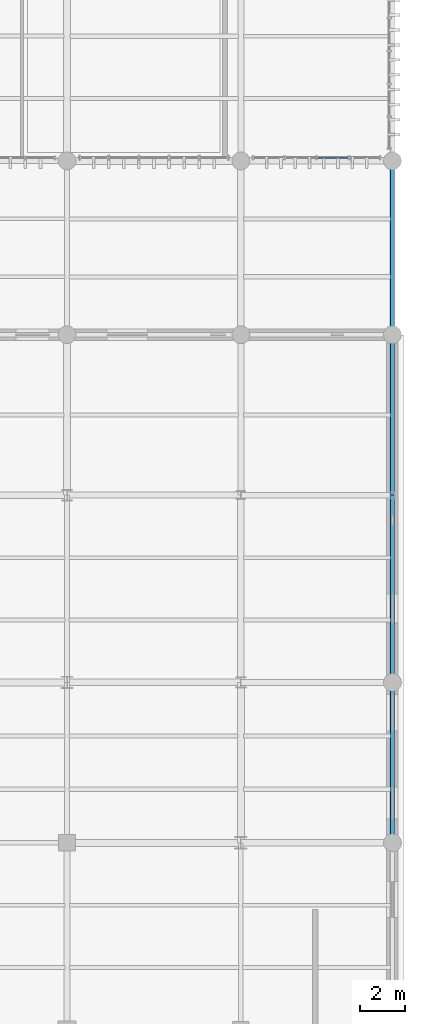
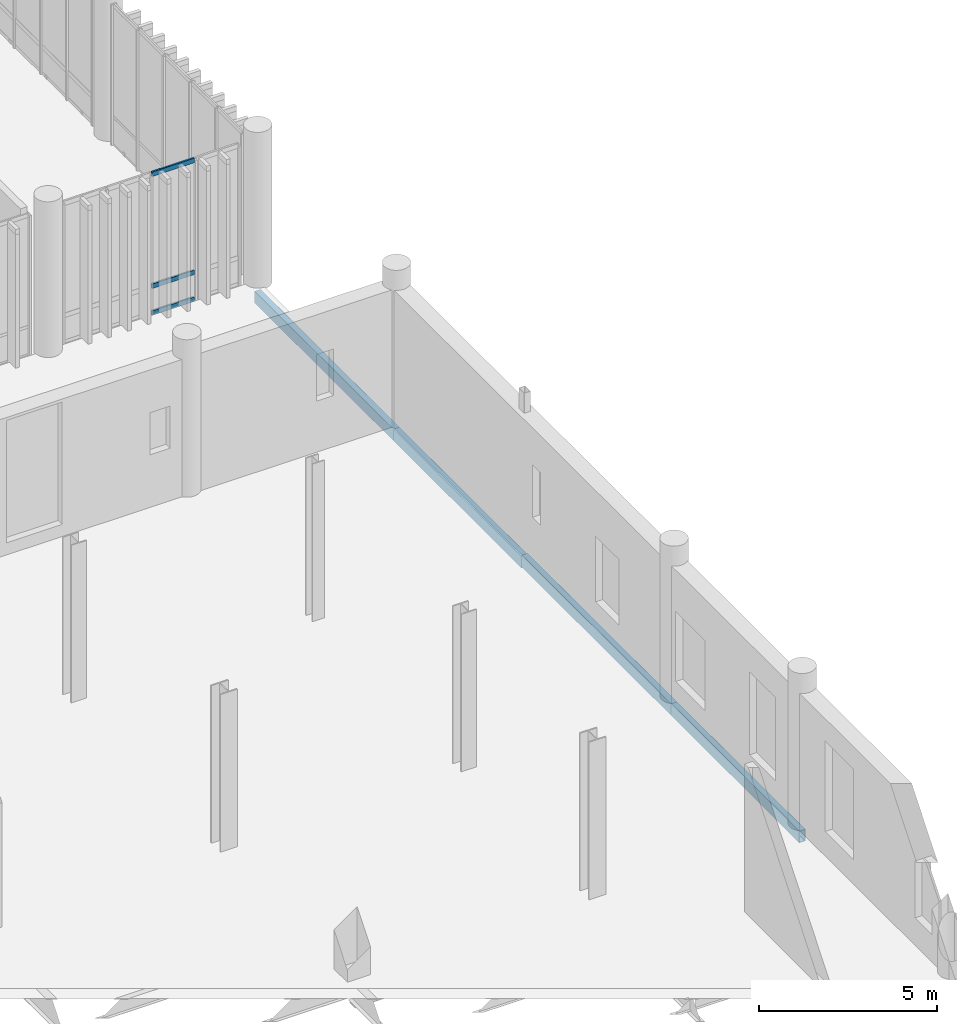
# One storey, part 76 of 128: 4 beams, 3 members, 1 element without a shape of its own.
"""IFC4 building model written with IfcOpenShell, lengths in metres."""

import ifcopenshell
import ifcopenshell.guid

model = None  # the IFC model being written
_history = None  # IfcOwnerHistory: only IFC2X3 demands one
_inside = {}  # id of a spatial element -> (the spatial element, [elements in it])
_under = {}  # id of a project, library or spatial element -> (it, [spatial elements below it])
_declared = {}  # id of a project -> (the project, [libraries it declares])
_typed = {}  # id of a type object -> (the type object, [elements of that type])
_made_of = {}  # id of a material, layer set ... -> (it, [elements and type objects made of it])


def new_model(schema):
    """Start an empty IFC model of exactly this schema.

    Asked for "IFC4X3", IfcOpenShell would pick the latest addendum, in which some entities
    have other attributes; the version numbers below select the first issue.
    IFC2X3 requires an IfcOwnerHistory on every rooted entity: one is made here for all.
    """
    global model, _history
    if schema == "IFC4X3":
        model = ifcopenshell.file(schema_version=(4, 3, 0, 0))
    else:
        model = ifcopenshell.file(schema=schema)
    _inside.clear()
    _under.clear()
    _declared.clear()
    _typed.clear()
    _made_of.clear()
    _history = None
    if model.schema == "IFC2X3":
        org = make("IfcOrganization", Name="unknown")
        user = make(
            "IfcPersonAndOrganization",
            ThePerson=make("IfcPerson", FamilyName="unknown"),
            TheOrganization=org,
        )
        app = make(
            "IfcApplication",
            ApplicationDeveloper=org,
            Version="unknown",
            ApplicationFullName="unknown",
            ApplicationIdentifier="unknown",
        )
        _history = make(
            "IfcOwnerHistory",
            OwningUser=user,
            OwningApplication=app,
            ChangeAction="ADDED",
            CreationDate=0,
        )
    return model


def make(cls, **values):
    """One entity of the class cls with the attributes given. An attribute that is None is left unset."""
    return model.create_entity(
        cls, **{name: value for name, value in values.items() if value is not None}
    )


def rooted(cls, **values):
    """An entity with a GlobalId (a new one), such as an element, a storey or a relation."""
    return make(cls, GlobalId=ifcopenshell.guid.new(), OwnerHistory=_history, **values)


def si_unit(unit_type, name, prefix=None):
    """IfcSIUnit, for example si_unit("LENGTHUNIT", "METRE", prefix="MILLI")."""
    return make("IfcSIUnit", UnitType=unit_type, Prefix=prefix, Name=name)


def assignment(units):
    """IfcUnitAssignment: the units of a project."""
    return None if units is None else make("IfcUnitAssignment", Units=units)


def point(xyz):
    """IfcCartesianPoint."""
    return None if xyz is None else make("IfcCartesianPoint", Coordinates=xyz)


def direction(xyz):
    """IfcDirection."""
    return None if xyz is None else make("IfcDirection", DirectionRatios=xyz)


def frame(location, z_axis=None, x_axis=None):
    """IfcAxis2Placement3D, a coordinate frame: its origin and axes. An axis left out is left unset."""
    return make(
        "IfcAxis2Placement3D",
        Location=point(location),
        Axis=direction(z_axis),
        RefDirection=direction(x_axis),
    )


def frame_2d(location, x_axis=None):
    """IfcAxis2Placement2D, a coordinate frame in the plane: its origin and x axis."""
    return make(
        "IfcAxis2Placement2D", Location=point(location), RefDirection=direction(x_axis)
    )


def origin_with_axes():
    """The frame at (0, 0, 0) with the z axis (0, 0, 1) and the x axis (1, 0, 0) written out."""
    return frame((0.0, 0.0, 0.0), z_axis=(0.0, 0.0, 1.0), x_axis=(1.0, 0.0, 0.0))


def origin_2d_with_axis():
    """The frame at (0, 0) in the plane with the x axis (1, 0) written out."""
    return frame_2d((0.0, 0.0), x_axis=(1.0, 0.0))


def place(relative_to, where):
    """IfcLocalPlacement: puts the frame where relative to a parent placement (None: the world)."""
    return make(
        "IfcLocalPlacement", PlacementRelTo=relative_to, RelativePlacement=where
    )


def context(
    kind, dimensions, precision=None, world=None, true_north=None, identifier=None
):
    """IfcGeometricRepresentationContext, for example the 3D "Model" context."""
    return make(
        "IfcGeometricRepresentationContext",
        ContextIdentifier=identifier,
        ContextType=kind,
        CoordinateSpaceDimension=dimensions,
        Precision=precision,
        WorldCoordinateSystem=world,
        TrueNorth=true_north,
    )


def subcontext(parent, identifier, kind, view, scale=None):
    """IfcGeometricRepresentationSubContext, for example "Body" below "Model"."""
    return make(
        "IfcGeometricRepresentationSubContext",
        ContextIdentifier=identifier,
        ContextType=kind,
        ParentContext=parent,
        TargetScale=scale,
        TargetView=view,
    )


def project(units=None, contexts=None):
    """IfcProject with its units and contexts."""
    return rooted(
        "IfcProject",
        Name="project",
        RepresentationContexts=contexts,
        UnitsInContext=assignment(units),
    )


def spatial(cls, under=None, at=None, **own):
    """A site, building, storey or space (cls), placed at a placement, below another one or the project."""
    s = rooted(cls, ObjectPlacement=at, **own)
    if under is not None:
        _under.setdefault(under.id(), (under, []))[1].append(s)
    return s


def profile(cls, at=None, kind="AREA", **sizes):
    """A parametric profile (cls). Its sizes go by their IFC names, for example OverallWidth=200.0."""
    return make(cls, ProfileType=kind, Position=at, **sizes)


def hollow_rectangle(**sizes):
    """IfcRectangleHollowProfileDef."""
    return profile("IfcRectangleHollowProfileDef", **sizes)


def extrude(swept, where, along, depth):
    """IfcExtrudedAreaSolid: the profile swept, set in the frame where, extruded along a direction by depth."""
    return make(
        "IfcExtrudedAreaSolid",
        SweptArea=swept,
        Position=where,
        ExtrudedDirection=direction(along),
        Depth=depth,
    )


def shape(context_of_items, identifier, shape_type, items):
    """IfcShapeRepresentation: the items that make up one representation, for example the "Body"."""
    return make(
        "IfcShapeRepresentation",
        ContextOfItems=context_of_items,
        RepresentationIdentifier=identifier,
        RepresentationType=shape_type,
        Items=items,
    )


def material(Name=None, Category=None):
    """IfcMaterial."""
    return make("IfcMaterial", Name=Name, Category=Category)


def material_profile(
    of_material, cross_section, Name=None, Category=None, Priority=None
):
    """IfcMaterialProfile: a cross section and its material."""
    return make(
        "IfcMaterialProfile",
        Name=Name,
        Material=of_material,
        Profile=cross_section,
        Priority=Priority,
        Category=Category,
    )


def profile_set(profiles, Name=None, composite=None):
    """IfcMaterialProfileSet."""
    return make(
        "IfcMaterialProfileSet",
        Name=Name,
        MaterialProfiles=profiles,
        CompositeProfile=composite,
    )


def made_of(thing, what):
    """Note that an element or type object is made of a material, layer set ...; save() writes the relation."""
    if what is not None:
        _made_of.setdefault(what.id(), (what, []))[1].append(thing)
    return thing


def type_object(cls, material=None, **own):
    """A type object (cls), such as IfcWallType, which elements share."""
    return made_of(rooted(cls, **own), material)


def element(
    cls,
    number,
    at=None,
    inside=None,
    cuts=None,
    type_object=None,
    material=None,
    context=None,
    identifier="Body",
    shape_type=None,
    held_by="IfcProductDefinitionShape",
    body=None,
    shapes=None,
    **own,
):
    """One element of the class cls, such as IfcWall. Its Tag is "e" and its number.

    at: its placement. inside: the storey or other place that contains it. cuts: it is an
    opening in that element (IfcRelVoidsElement). A single representation is given by context,
    identifier, shape_type and body (its items); several are given by shapes. held_by: the class
    of the entity that holds the representations. save() writes the other relations.
    """
    e = rooted(cls, Tag="e%d" % number, ObjectPlacement=at, **own)
    if body is not None:
        shapes = [shape(context, identifier, shape_type, body)]
    if shapes is not None:
        e.Representation = make(held_by, Representations=shapes)
    if inside is not None:
        _inside.setdefault(inside.id(), (inside, []))[1].append(e)
    if cuts is not None:
        rooted(
            "IfcRelVoidsElement", RelatingBuildingElement=cuts, RelatedOpeningElement=e
        )
    if type_object is not None:
        _typed.setdefault(type_object.id(), (type_object, []))[1].append(e)
    return made_of(e, material)


def aggregate(whole, parts):
    """IfcRelAggregates: a whole, such as a stair, and the parts it consists of."""
    return rooted("IfcRelAggregates", RelatingObject=whole, RelatedObjects=parts)


def save(model, path):
    """Write the relations noted so far, then the file.

    IfcRelAggregates (storeys below a building ...), IfcRelContainedInSpatialStructure (elements
    in a storey), IfcRelDefinesByType, IfcRelAssociatesMaterial and IfcRelDeclares: one each for
    every whole, place, type object, material and project.
    """
    for whole, parts in _under.values():
        aggregate(whole, parts)
    for where, things in _inside.values():
        rooted(
            "IfcRelContainedInSpatialStructure",
            RelatedElements=things,
            RelatingStructure=where,
        )
    for kind, things in _typed.values():
        rooted("IfcRelDefinesByType", RelatedObjects=things, RelatingType=kind)
    for what, things in _made_of.values():
        rooted("IfcRelAssociatesMaterial", RelatedObjects=things, RelatingMaterial=what)
    for by, libraries in _declared.values():
        rooted("IfcRelDeclares", RelatingContext=by, RelatedDefinitions=libraries)
    model.write(path)


model = new_model("IFC4")

# Units and contexts
model_context = context("Model", 3, precision=1e-05, world=origin_with_axes(), true_north=direction((0.0, 1.0)))
body_context = subcontext(model_context, "Body", "Model", "MODEL_VIEW")
ifc_project = project(units=[si_unit("LENGTHUNIT", "METRE"), si_unit("AREAUNIT", "SQUARE_METRE"), si_unit("VOLUMEUNIT", "CUBIC_METRE"), si_unit("PLANEANGLEUNIT", "RADIAN"), si_unit("MASSUNIT", "GRAM", prefix="KILO"), si_unit("THERMODYNAMICTEMPERATUREUNIT", "KELVIN")], contexts=[model_context])

# Site, building, storey
site_placement = place(None, origin_with_axes())
site = spatial("IfcSite", under=ifc_project, at=site_placement, CompositionType="ELEMENT")
building_placement = place(site_placement, origin_with_axes())
building = spatial("IfcBuilding", under=site, at=building_placement, Name="Montbau Bow Law Courts", CompositionType="ELEMENT")
storey_placement = place(building_placement, frame((0.0, 0.0, 5.4), z_axis=(0.0, 0.0, 1.0), x_axis=(1.0, 0.0, 0.0)))
storey = spatial("IfcBuildingStorey", under=building, at=storey_placement, Name="L01", CompositionType="ELEMENT", Elevation=5.4)

# Beams
ifc_material_1 = material(Name="Steel CSA G40.21 Grade 350WT (350 MPa)", Category="steel")
ifc_material_profile_1 = material_profile(ifc_material_1, hollow_rectangle(XDim=0.203, YDim=0.406, WallThickness=0.0127, InnerFilletRadius=0.0254, OuterFilletRadius=0.0127, at=origin_2d_with_axis()), Name="HSS406X203X13", Category="Main", Priority=0)
ifc_profile_set_1 = profile_set([ifc_material_profile_1], Name="Steel CSA G40.21 Grade 350WT (350 MPa)")
beam_type = type_object("IfcBeamType", Name="B-SPN-01", PredefinedType="SPANDREL", material=ifc_profile_set_1)
beam_1_placement = place(None, frame((169.4, 61.8, 4.907), z_axis=(0.0, 1.0, 0.0), x_axis=(-1.0, 0.0, 0.0)))
element("IfcBeam", 1, at=beam_1_placement, inside=storey, type_object=beam_type, Name="SPN-L01-S1158:bm2_1161", PredefinedType="SPANDREL", context=body_context, shape_type="SweptSolid", body=[
    extrude(hollow_rectangle(XDim=0.203, YDim=0.406, WallThickness=0.0127, InnerFilletRadius=0.0254, OuterFilletRadius=0.0127, at=origin_2d_with_axis()), origin_with_axes(), (0.0, 0.0, 1.0), 7.8),
])
beam_2_placement = place(None, frame((169.4, 39.0, 4.947), z_axis=(0.0, 1.0, 0.0), x_axis=(-1.0, 0.0, 0.0)))
element("IfcBeam", 2, at=beam_2_placement, inside=storey, type_object=beam_type, Name="SPN-L01-S1527:bm2_1530", PredefinedType="SPANDREL", context=body_context, shape_type="SweptSolid", body=[
    extrude(hollow_rectangle(XDim=0.203, YDim=0.406, WallThickness=0.0127, InnerFilletRadius=0.0254, OuterFilletRadius=0.0127, at=origin_2d_with_axis()), origin_with_axes(), (0.0, 0.0, 1.0), 7.2),
])
beam_3_placement = place(None, frame((169.4, 46.2, 4.947), z_axis=(0.0, 1.0, 0.0), x_axis=(-1.0, 0.0, 0.0)))
element("IfcBeam", 3, at=beam_3_placement, inside=storey, type_object=beam_type, Name="SPN-L01-S1528:bm2_1531", PredefinedType="SPANDREL", context=body_context, shape_type="SweptSolid", body=[
    extrude(hollow_rectangle(XDim=0.203, YDim=0.406, WallThickness=0.0127, InnerFilletRadius=0.0254, OuterFilletRadius=0.0127, at=origin_2d_with_axis()), origin_with_axes(), (0.0, 0.0, 1.0), 8.4),
])
beam_4_placement = place(None, frame((169.4, 54.6, 4.907), z_axis=(0.0, 1.0, 0.0), x_axis=(-1.0, 0.0, 0.0)))
element("IfcBeam", 4, at=beam_4_placement, inside=storey, type_object=beam_type, Name="SPN-L01-S1529:bm2_1532", PredefinedType="SPANDREL", context=body_context, shape_type="SweptSolid", body=[
    extrude(hollow_rectangle(XDim=0.203, YDim=0.406, WallThickness=0.0127, InnerFilletRadius=0.0254, OuterFilletRadius=0.0127, at=origin_2d_with_axis()), origin_with_axes(), (0.0, 0.0, 1.0), 7.2),
])

# Curtain wall, members
ifc_material_2 = material(Name="Thermally Broken Extruded Aluminium AA 6063-T6", Category="aluminium")
curtain_wall_type = type_object("IfcCurtainWallType", Name="CW-SLT-01", PredefinedType="NOTDEFINED", material=ifc_material_2)
curtain_wall_placement = place(None, frame((163.115, 69.74, 5.4), z_axis=(0.0, 0.0, 1.0), x_axis=(1.0, 0.0, 0.0)))
curtain_wall = element("IfcCurtainWall", 5, at=curtain_wall_placement, inside=storey, type_object=curtain_wall_type, Name="CW-L01-280:cw_0280", PredefinedType="NOTDEFINED")
ifc_material_profile_2 = material_profile(ifc_material_2, hollow_rectangle(XDim=0.06, YDim=0.16, WallThickness=0.004, InnerFilletRadius=0.008, OuterFilletRadius=0.004, at=origin_2d_with_axis()), Name="CWT-160X60", Category="Main", Priority=0)
ifc_profile_set_2 = profile_set([ifc_material_profile_2], Name="Thermally Broken Extruded Aluminium AA 6063-T6")
member_type = type_object("IfcMemberType", Name="M-TRN-01", PredefinedType="USERDEFINED", material=ifc_profile_set_2)
member_1_placement = place(None, frame((166.034, 69.74, 5.43), z_axis=(1.0, 0.0, 0.0), x_axis=(0.0, 1.0, 0.0)))
member_1 = element("IfcMember", 6, at=member_1_placement, type_object=member_type, Name="CW-L01-280-T03-1:cw_0280_T03_1", ObjectType="TRANSOM", PredefinedType="USERDEFINED", context=body_context, shape_type="SweptSolid", body=[
    extrude(hollow_rectangle(XDim=0.06, YDim=0.16, WallThickness=0.004, InnerFilletRadius=0.008, OuterFilletRadius=0.004, at=origin_2d_with_axis()), origin_with_axes(), (0.0, 0.0, 1.0), 1.374),
])
member_2_placement = place(None, frame((166.034, 69.74, 6.35), z_axis=(1.0, 0.0, 0.0), x_axis=(0.0, 1.0, 0.0)))
member_2 = element("IfcMember", 7, at=member_2_placement, type_object=member_type, Name="CW-L01-280-T03-2:cw_0280_T03_2", ObjectType="TRANSOM", PredefinedType="USERDEFINED", context=body_context, shape_type="SweptSolid", body=[
    extrude(hollow_rectangle(XDim=0.06, YDim=0.16, WallThickness=0.004, InnerFilletRadius=0.008, OuterFilletRadius=0.004, at=origin_2d_with_axis()), origin_with_axes(), (0.0, 0.0, 1.0), 1.374),
])
member_3_placement = place(None, frame((166.034, 69.74, 10.19), z_axis=(1.0, 0.0, 0.0), x_axis=(0.0, 1.0, 0.0)))
member_3 = element("IfcMember", 8, at=member_3_placement, type_object=member_type, Name="CW-L01-280-T03-3:cw_0280_T03_3", ObjectType="TRANSOM", PredefinedType="USERDEFINED", context=body_context, shape_type="SweptSolid", body=[
    extrude(hollow_rectangle(XDim=0.06, YDim=0.16, WallThickness=0.004, InnerFilletRadius=0.008, OuterFilletRadius=0.004, at=origin_2d_with_axis()), origin_with_axes(), (0.0, 0.0, 1.0), 1.374),
])
aggregate(curtain_wall, [member_1, member_2, member_3])

save(model, "model.ifc")
